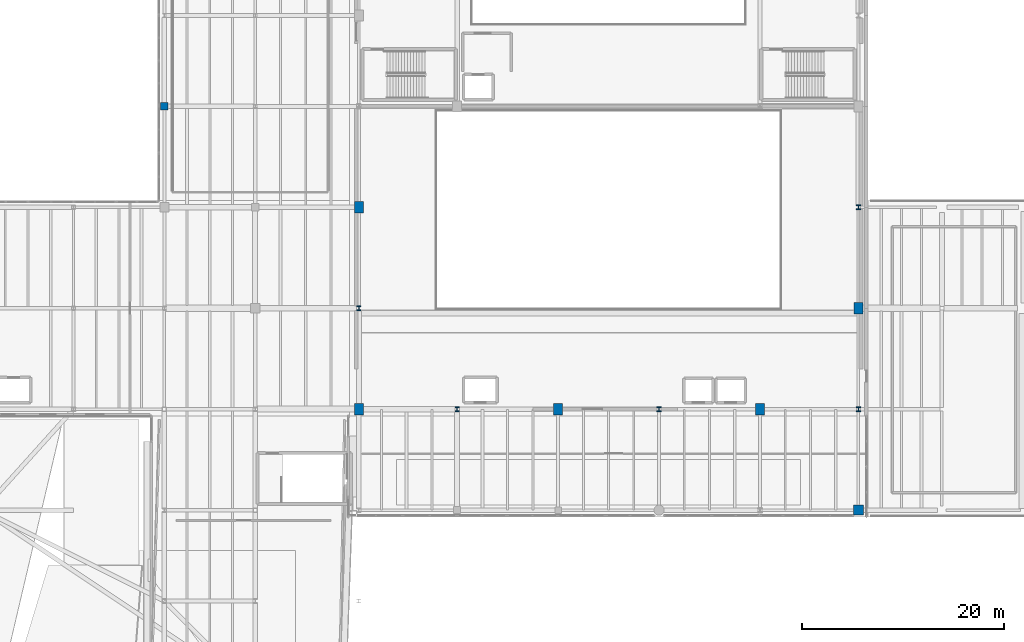
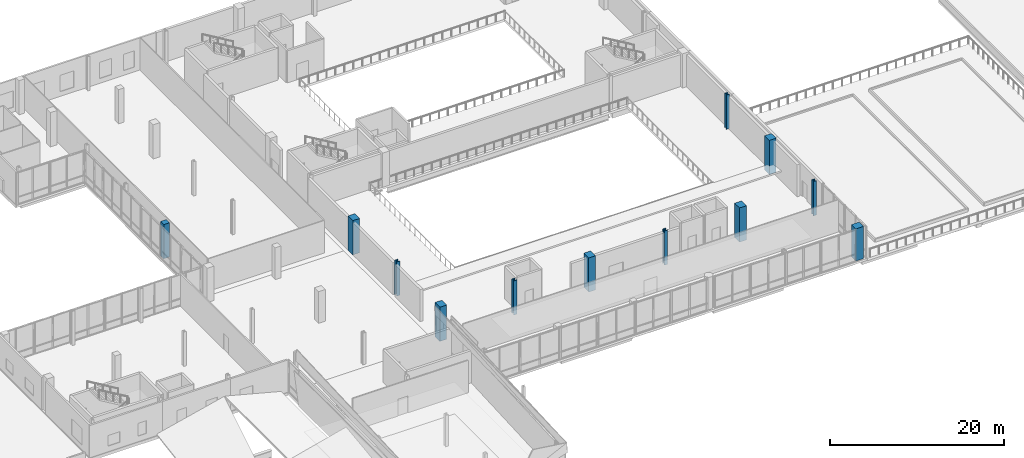
# One storey, part 4 of 41: 12 columns.
"""IFC4 building model written with IfcOpenShell, lengths in metres."""

from ifc_helpers import new_model, si_unit, direction, frame, origin, origin_2d, place, context, subcontext, project, spatial, rectangle, i_section, extrude, material, material_profile, profile_set, type_object, element, save


model = new_model("IFC4")

# Units and contexts
model_context = context("Model", 3, precision=1e-05, world=origin(), true_north=direction((0.0, 1.0)))
body_context = subcontext(model_context, "Body", "Model", "MODEL_VIEW")
ifc_project = project(units=[si_unit("LENGTHUNIT", "METRE"), si_unit("AREAUNIT", "SQUARE_METRE"), si_unit("VOLUMEUNIT", "CUBIC_METRE"), si_unit("PLANEANGLEUNIT", "RADIAN"), si_unit("MASSUNIT", "GRAM", prefix="KILO")], contexts=[model_context])

# Site, building, storey
site_placement = place(None, origin())
site = spatial("IfcSite", under=ifc_project, at=site_placement, CompositionType="ELEMENT")
building_placement = place(site_placement, origin())
building = spatial("IfcBuilding", under=site, at=building_placement, Name="Trimount Lyric Opera House", CompositionType="ELEMENT")
storey_placement = place(building_placement, frame((0.0, 0.0, 20.0)))
storey = spatial("IfcBuildingStorey", under=building, at=storey_placement, Name="L04", CompositionType="ELEMENT", Elevation=20.0)

# Columns
ifc_material_1 = material(Name="Steel ASTM A992 Grade 50", Category="steel")
ifc_material_profile_1 = material_profile(ifc_material_1, i_section(OverallWidth=0.422119140625, OverallDepth=0.465087890625, WebThickness=0.044921875, FlangeThickness=0.072509765625, FilletRadius=0.02001953125, at=origin_2d()), Name="W14X398")
ifc_profile_set_1 = profile_set([ifc_material_profile_1], Name="Steel ASTM A992 Grade 50")
column_type_1 = type_object("IfcColumnType", Name="C-01", PredefinedType="COLUMN", material=ifc_profile_set_1)
for number, where, z_axis, x_axis, name in (
    (1, (64.260009765625, 64.0, 0.0), (0.0, 0.0, 1.0), (1.0, 0.0, 0.0), "L04 column 8/H"),
    (2, (74.0, 54.0, 0.0), (0.0, 0.0, 1.0), (1.0, 0.0, 0.0), "L04 column 9/G"),
    (3, (94.0, 54.0, 0.0), (0.0, 0.0, 1.0), (1.0, 0.0, 0.0), "L04 column 11/G"),
    (4, (113.739990234375, 54.0, 0.0), (0.0, 0.0, 1.0), (1.0, 0.0, 0.0), "L04 column 13/G"),
    (5, (113.739990234375, 74.0, 0.0), (0.0, 0.0, 1.0), (1.0, 0.0, 0.0), "L04 column 13/J"),
):
    element("IfcColumn", number, at=place(storey_placement, frame(where, z_axis=z_axis, x_axis=x_axis)), inside=storey, type_object=column_type_1, Name=name, PredefinedType="COLUMN", context=body_context, shape_type="SweptSolid", body=[
        extrude(i_section(OverallWidth=0.422119140625, OverallDepth=0.465087890625, WebThickness=0.044921875, FlangeThickness=0.072509765625, FilletRadius=0.02001953125, at=origin_2d()), origin(), (0.0, 0.0, 1.0), 4.800048828125),
    ])
ifc_material_2 = material(Name="Concrete C50/60", Category="concrete")
ifc_material_profile_2 = material_profile(ifc_material_2, rectangle(XDim=0.89990234375, YDim=1.10009765625, at=origin_2d()), Name="RC1100X900")
ifc_profile_set_2 = profile_set([ifc_material_profile_2], Name="Concrete C50/60")
column_type_2 = type_object("IfcColumnType", Name="C-11", PredefinedType="COLUMN", material=ifc_profile_set_2)
for number, where, z_axis, x_axis, name in (
    (6, (64.260009765625, 54.0, 0.0), (0.0, 0.0, 1.0), (1.0, 0.0, 0.0), "L04 column 8/G"),
    (7, (64.260009765625, 74.0, 0.0), (0.0, 0.0, 1.0), (1.0, 0.0, 0.0), "L04 column 8/J"),
    (8, (84.0, 54.0, 0.0), (0.0, 0.0, 1.0), (1.0, 0.0, 0.0), "L04 column 10/G"),
    (9, (104.0, 54.0, 0.0), (0.0, 0.0, 1.0), (1.0, 0.0, 0.0), "L04 column 12/G"),
    (10, (113.739990234375, 64.0, 0.0), (0.0, 0.0, 1.0), (1.0, 0.0, 0.0), "L04 column 13/H"),
):
    element("IfcColumn", number, at=place(storey_placement, frame(where, z_axis=z_axis, x_axis=x_axis)), inside=storey, type_object=column_type_2, Name=name, PredefinedType="COLUMN", context=body_context, shape_type="SweptSolid", body=[
        extrude(rectangle(XDim=0.89990234375, YDim=1.10009765625, at=origin_2d()), origin(), (0.0, 0.0, 1.0), 4.800048828125),
    ])
ifc_material_3 = material(Name="Concrete C50/60", Category="concrete")
ifc_material_profile_3 = material_profile(ifc_material_3, rectangle(XDim=1.0, YDim=1.0, at=origin_2d()), Name="RC1000X1000")
ifc_profile_set_3 = profile_set([ifc_material_profile_3], Name="Concrete C50/60")
column_type_3 = type_object("IfcColumnType", Name="C-12", PredefinedType="COLUMN", material=ifc_profile_set_3)
column_1_placement = place(storey_placement, frame((113.739990234375, 44.0, 0.0), z_axis=(0.0, 0.0, 1.0), x_axis=(1.0, 0.0, 0.0)))
element("IfcColumn", 11, at=column_1_placement, inside=storey, type_object=column_type_3, Name="L04 column 13/F", PredefinedType="COLUMN", context=body_context, shape_type="SweptSolid", body=[
    extrude(rectangle(XDim=1.0, YDim=1.0, at=origin_2d()), origin(), (0.0, 0.0, 1.0), 4.510009765625),
])
ifc_material_4 = material(Name="Concrete C40/50", Category="concrete")
ifc_material_profile_4 = material_profile(ifc_material_4, rectangle(XDim=0.75, YDim=0.75, at=origin_2d()), Name="RC750X750")
ifc_profile_set_4 = profile_set([ifc_material_profile_4], Name="Concrete C40/50")
column_type_4 = type_object("IfcColumnType", Name="C-15", PredefinedType="COLUMN", material=ifc_profile_set_4)
column_2_placement = place(storey_placement, frame((45.0, 84.0, 0.0), z_axis=(0.0, 0.0, 1.0), x_axis=(1.0, 0.0, 0.0)))
element("IfcColumn", 12, at=column_2_placement, inside=storey, type_object=column_type_4, Name="L04 column 6/K", PredefinedType="COLUMN", context=body_context, shape_type="SweptSolid", body=[
    extrude(rectangle(XDim=0.75, YDim=0.75, at=origin_2d()), origin(), (0.0, 0.0, 1.0), 4.800048828125),
])

save(model, "model.ifc")
